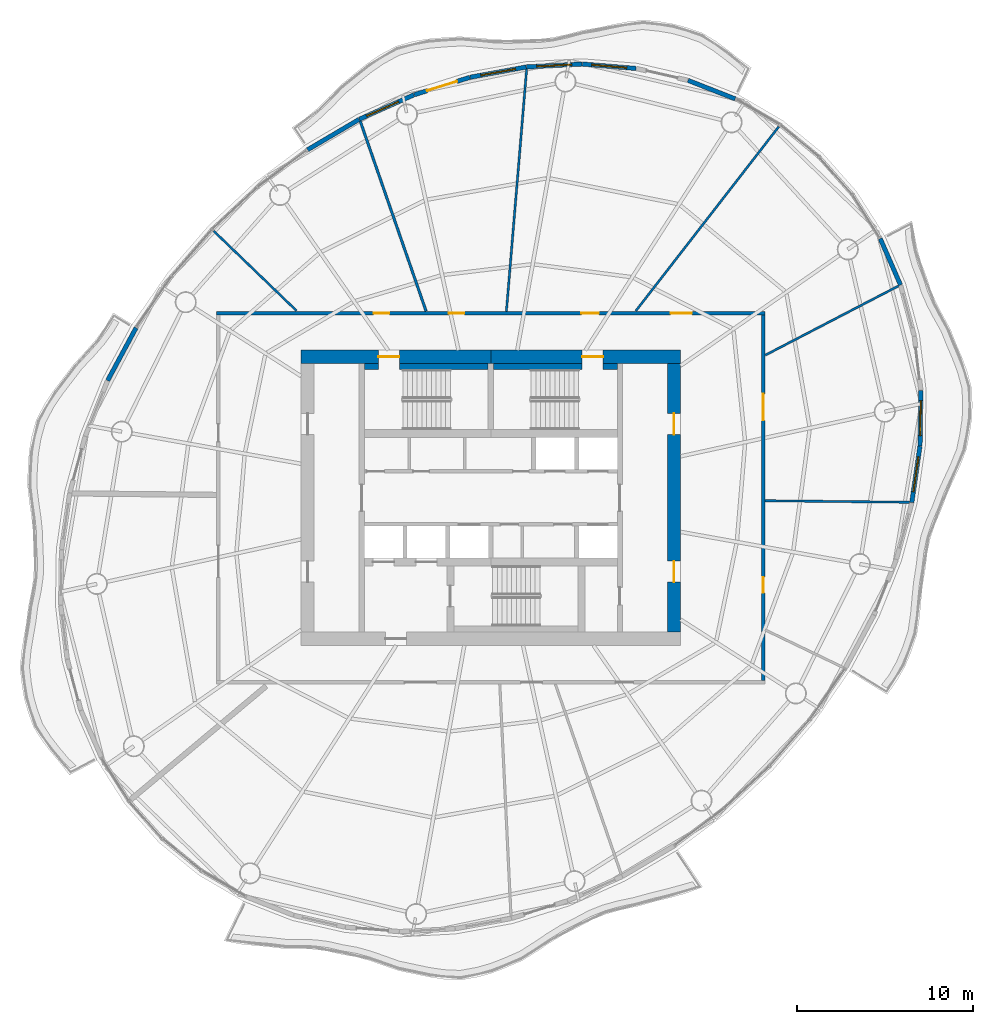
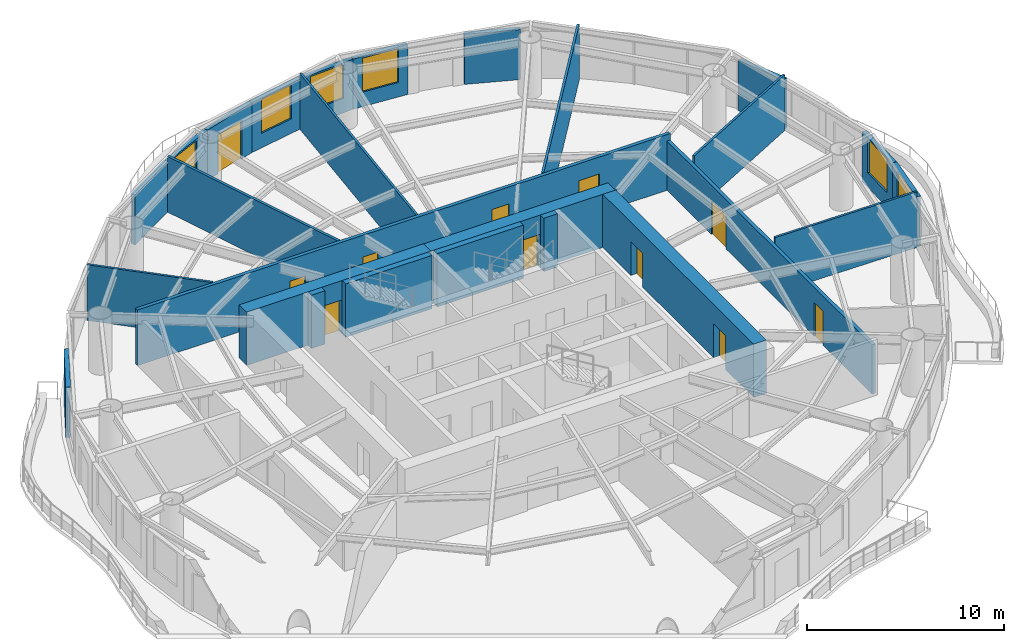
# One storey, part 10 of 14: 26 walls, 11 doors, 6 windows, 17 openings.
"""IFC4 building model written with IfcOpenShell, lengths in metres."""

from ifc_helpers import new_model, si_unit, direction, frame, frame_2d, origin, place, context, subcontext, project, spatial, rectangle, extrude, material, layer, layer_set, type_object, element, fill, save


model = new_model("IFC4")

# Units and contexts
model_context = context("Model", 3, precision=1e-05, world=origin(), true_north=direction((0.0, 1.0)))
body_context = subcontext(model_context, "Body", "Model", "MODEL_VIEW")
ifc_project = project(units=[si_unit("LENGTHUNIT", "METRE"), si_unit("AREAUNIT", "SQUARE_METRE"), si_unit("VOLUMEUNIT", "CUBIC_METRE"), si_unit("PLANEANGLEUNIT", "RADIAN"), si_unit("MASSUNIT", "GRAM", prefix="KILO")], contexts=[model_context])

# Site, building, storey
site_placement = place(None, origin())
site = spatial("IfcSite", under=ifc_project, at=site_placement, CompositionType="ELEMENT")
building_placement = place(site_placement, origin())
building = spatial("IfcBuilding", under=site, at=building_placement, Name="Vermilion Reach Broadcast Tower", CompositionType="ELEMENT")
storey_placement = place(building_placement, frame((0.0, 0.0, 217.300048828125)))
storey = spatial("IfcBuildingStorey", under=building, at=storey_placement, Name="L53", CompositionType="ELEMENT", Elevation=217.300048828125)

# Wall, opening, door
ifc_material_1 = material(Name="Concrete C60", Category="concrete")
ifc_layer_1 = layer(ifc_material_1, 0.75)
ifc_layer_set_1 = layer_set([ifc_layer_1], Name="Core outer wall 750 mm Concrete C60")
wall_type_1 = type_object("IfcWallType", Name="Core outer wall 750 mm Concrete C60", PredefinedType="SHEAR", material=ifc_layer_set_1)
wall_1_placement = place(storey_placement, frame((4.800048828125, 8.02490234375, 0.0), z_axis=(0.0, 0.0, 1.0), x_axis=(-1.0, 0.0, 0.0)))
wall_1 = element("IfcWall", 1, at=wall_1_placement, inside=storey, type_object=wall_type_1, Name="L53 core wall onE", PredefinedType="SHEAR", context=body_context, shape_type="SweptSolid", body=[
    extrude(rectangle(XDim=10.800048828125, YDim=0.75, at=frame_2d((5.39990234375, 0.0))), origin(), (0.0, 0.0, 1.0), 3.300048828125),
])
opening_1_placement = place(wall_1_placement, frame((4.39990234375, 0.0, 0.0)))
opening_1 = element("IfcOpeningElement", 2, at=opening_1_placement, cuts=wall_1, Name="Opening D01", PredefinedType="OPENING", context=body_context, shape_type="SweptSolid", body=[
    extrude(rectangle(XDim=1.199951171875, YDim=2.10009765625, at=frame_2d((0.60009765625, 1.050048828125))), frame((0.0, 0.385009765625, 0.0), z_axis=(0.0, -1.0, 0.0), x_axis=(1.0, 0.0, 0.0)), (0.0, 0.0, 1.0), 0.77001953125),
])
ifc_material_2 = material(Name="Painted steel fire door", Category="steel")
door_type_1 = type_object("IfcDoorType", Name="Stair door 1200 x 2100", OperationType="DOUBLE_DOOR_SINGLE_SWING", PredefinedType="NOTDEFINED", material=ifc_material_2)
door_1_placement = place(opening_1_placement, origin())
door_1 = element("IfcDoor", 3, at=door_1_placement, inside=storey, type_object=door_type_1, Name="L53 stair door ST2", OperationType="DOUBLE_DOOR_SINGLE_SWING", OverallHeight=2.10009765625, OverallWidth=1.199951171875, PredefinedType="NOTDEFINED", context=body_context, shape_type="SweptSolid", body=[
    extrude(rectangle(XDim=1.199951171875, YDim=2.10009765625, at=frame_2d((0.60009765625, 1.050048828125))), frame((0.0, 0.02490234375, 0.0), z_axis=(0.0, -1.0, 0.0), x_axis=(1.0, 0.0, 0.0)), (0.0, 0.0, 1.0), 0.050048828125),
])
fill(opening_1, door_1)

wall_2_placement = place(storey_placement, frame((-6.0, 8.02490234375, 0.0), z_axis=(0.0, 0.0, 1.0), x_axis=(-1.0, 0.0, 0.0)))
wall_2 = element("IfcWall", 4, at=wall_2_placement, inside=storey, type_object=wall_type_1, Name="L53 core wall onW", PredefinedType="SHEAR", context=body_context, shape_type="SweptSolid", body=[
    extrude(rectangle(XDim=10.800048828125, YDim=0.75, at=frame_2d((5.39990234375, 0.0))), origin(), (0.0, 0.0, 1.0), 3.300048828125),
])
opening_2_placement = place(wall_2_placement, frame((5.199951171875, 0.0, 0.0)))
opening_2 = element("IfcOpeningElement", 5, at=opening_2_placement, cuts=wall_2, Name="Opening D01", PredefinedType="OPENING", context=body_context, shape_type="SweptSolid", body=[
    extrude(rectangle(XDim=1.199951171875, YDim=2.10009765625, at=frame_2d((0.60009765625, 1.050048828125))), frame((0.0, 0.385009765625, 0.0), z_axis=(0.0, -1.0, 0.0), x_axis=(1.0, 0.0, 0.0)), (0.0, 0.0, 1.0), 0.77001953125),
])
door_2_placement = place(opening_2_placement, origin())
door_2 = element("IfcDoor", 6, at=door_2_placement, inside=storey, type_object=door_type_1, Name="L53 stair door ST1", OperationType="DOUBLE_DOOR_SINGLE_SWING", OverallHeight=2.10009765625, OverallWidth=1.199951171875, PredefinedType="NOTDEFINED", context=body_context, shape_type="SweptSolid", body=[
    extrude(rectangle(XDim=1.199951171875, YDim=2.10009765625, at=frame_2d((0.60009765625, 1.050048828125))), frame((0.0, 0.02490234375, 0.0), z_axis=(0.0, -1.0, 0.0), x_axis=(1.0, 0.0, 0.0)), (0.0, 0.0, 1.0), 0.050048828125),
])
fill(opening_2, door_2)

# Wall, openings, doors
wall_3_placement = place(storey_placement, frame((4.425048828125, -7.64990234375, 0.0), z_axis=(0.0, 0.0, 1.0), x_axis=(0.0, 1.0, 0.0)))
wall_3 = element("IfcWall", 7, at=wall_3_placement, inside=storey, type_object=wall_type_1, Name="L53 core wall oe", PredefinedType="SHEAR", context=body_context, shape_type="SweptSolid", body=[
    extrude(rectangle(XDim=15.2998046875, YDim=0.75, at=frame_2d((7.64990234375, 0.0))), origin(), (0.0, 0.0, 1.0), 3.300048828125),
])
opening_3_placement = place(wall_3_placement, frame((2.85009765625, 0.0, 0.0)))
opening_3 = element("IfcOpeningElement", 8, at=opening_3_placement, cuts=wall_3, Name="Opening D03", PredefinedType="OPENING", context=body_context, shape_type="SweptSolid", body=[
    extrude(rectangle(XDim=1.199951171875, YDim=2.10009765625, at=frame_2d((0.60009765625, 1.050048828125))), frame((0.0, 0.385009765625, 0.0), z_axis=(0.0, -1.0, 0.0), x_axis=(1.0, 0.0, 0.0)), (0.0, 0.0, 1.0), 0.77001953125),
])
opening_4_placement = place(wall_3_placement, frame((11.25, 0.0, 0.0)))
opening_4 = element("IfcOpeningElement", 9, at=opening_4_placement, cuts=wall_3, Name="Opening D03", PredefinedType="OPENING", context=body_context, shape_type="SweptSolid", body=[
    extrude(rectangle(XDim=1.199951171875, YDim=2.10009765625, at=frame_2d((0.60009765625, 1.050048828125))), frame((0.0, 0.385009765625, 0.0), z_axis=(0.0, -1.0, 0.0), x_axis=(1.0, 0.0, 0.0)), (0.0, 0.0, 1.0), 0.77001953125),
])
ifc_material_3 = material(Name="Painted steel fire door", Category="steel")
door_type_2 = type_object("IfcDoorType", Name="Core lobby door 1200 x 2100", OperationType="DOUBLE_DOOR_SINGLE_SWING", PredefinedType="NOTDEFINED", material=ifc_material_3)
door_3_placement = place(opening_3_placement, origin())
door_3 = element("IfcDoor", 10, at=door_3_placement, inside=storey, type_object=door_type_2, Name="L53 slot door E0", OperationType="DOUBLE_DOOR_SINGLE_SWING", OverallHeight=2.10009765625, OverallWidth=1.199951171875, PredefinedType="NOTDEFINED", context=body_context, shape_type="SweptSolid", body=[
    extrude(rectangle(XDim=1.199951171875, YDim=2.10009765625, at=frame_2d((0.60009765625, 1.050048828125))), frame((0.0, 0.02490234375, 0.0), z_axis=(0.0, -1.0, 0.0), x_axis=(1.0, 0.0, 0.0)), (0.0, 0.0, 1.0), 0.050048828125),
])
fill(opening_3, door_3)
door_4_placement = place(opening_4_placement, origin())
door_4 = element("IfcDoor", 11, at=door_4_placement, inside=storey, type_object=door_type_2, Name="L53 slot door E1", OperationType="DOUBLE_DOOR_SINGLE_SWING", OverallHeight=2.10009765625, OverallWidth=1.199951171875, PredefinedType="NOTDEFINED", context=body_context, shape_type="SweptSolid", body=[
    extrude(rectangle(XDim=1.199951171875, YDim=2.10009765625, at=frame_2d((0.60009765625, 1.050048828125))), frame((0.0, 0.02490234375, 0.0), z_axis=(0.0, -1.0, 0.0), x_axis=(1.0, 0.0, 0.0)), (0.0, 0.0, 1.0), 0.050048828125),
])
fill(opening_4, door_4)

# Walls
ifc_material_4 = material(Name="Concrete C60", Category="concrete")
ifc_layer_2 = layer(ifc_material_4, 0.35009765625)
ifc_layer_set_2 = layer_set([ifc_layer_2], Name="Core stair wall 350 mm Concrete C60")
wall_type_2 = type_object("IfcWallType", Name="Core stair wall 350 mm Concrete C60", PredefinedType="SHEAR", material=ifc_layer_set_2)
wall_4_placement = place(storey_placement, frame((-13.199951171875, 7.47509765625, 0.0), z_axis=(0.0, 0.0, 1.0), x_axis=(1.0, 0.0, 0.0)))
element("IfcWall", 12, at=wall_4_placement, inside=storey, type_object=wall_type_2, Name="L53 core wall l1a", PredefinedType="SHEAR", context=body_context, shape_type="SweptSolid", body=[
    extrude(rectangle(XDim=0.800048828125, YDim=0.35009765625, at=frame_2d((0.39990234375, 0.0))), origin(), (0.0, 0.0, 1.0), 3.300048828125),
])
for number, where, z_axis, x_axis, name in (
    (13, (-11.199951171875, 7.47509765625, 0.0), (0.0, 0.0, 1.0), (1.0, 0.0, 0.0), "L53 core wall l1b"),
    (14, (-5.85009765625, 7.47509765625, 0.0), (0.0, 0.0, 1.0), (1.0, 0.0, 0.0), "L53 core wall l2a"),
):
    element("IfcWall", number, at=place(storey_placement, frame(where, z_axis=z_axis, x_axis=x_axis)), inside=storey, type_object=wall_type_2, Name=name, PredefinedType="SHEAR", context=body_context, shape_type="SweptSolid", body=[
        extrude(rectangle(XDim=5.050048828125, YDim=0.35009765625, at=frame_2d((2.52490234375, 0.0))), origin(), (0.0, 0.0, 1.0), 3.300048828125),
    ])
wall_5_placement = place(storey_placement, frame((0.39990234375, 7.47509765625, 0.0), z_axis=(0.0, 0.0, 1.0), x_axis=(1.0, 0.0, 0.0)))
element("IfcWall", 15, at=wall_5_placement, inside=storey, type_object=wall_type_2, Name="L53 core wall l2b", PredefinedType="SHEAR", context=body_context, shape_type="SweptSolid", body=[
    extrude(rectangle(XDim=0.800048828125, YDim=0.35009765625, at=frame_2d((0.39990234375, 0.0))), origin(), (0.0, 0.0, 1.0), 3.300048828125),
])

# Wall, openings, doors
ifc_material_5 = material(Name="Fire-rated gypsum board partition")
ifc_layer_3 = layer(ifc_material_5, 0.199951171875)
ifc_layer_set_3 = layer_set([ifc_layer_3], Name="Corridor wall 200 fire-rated")
wall_type_3 = type_object("IfcWallType", Name="Corridor wall 200 fire-rated", PredefinedType="PARTITIONING", material=ifc_layer_set_3)
wall_6_placement = place(storey_placement, frame((-21.60009765625, 10.5, 0.0), z_axis=(0.0, 0.0, 1.0), x_axis=(1.0, 0.0, 0.0)))
wall_6 = element("IfcWall", 16, at=wall_6_placement, inside=storey, type_object=wall_type_3, Name="Corridor wall 53.N", PredefinedType="PARTITIONING", context=body_context, shape_type="SweptSolid", body=[
    extrude(rectangle(XDim=31.2001953125, YDim=0.199951171875, at=frame_2d((15.60009765625, 0.0))), origin(), (0.0, 0.0, 1.0), 3.449951171875),
])
opening_5_placement = place(wall_6_placement, frame((20.758544921875, 0.0, 0.0)))
opening_5 = element("IfcOpeningElement", 17, at=opening_5_placement, cuts=wall_6, Name="Opening D23", PredefinedType="OPENING", context=body_context, shape_type="SweptSolid", body=[
    extrude(rectangle(XDim=1.0, YDim=2.39990234375, at=frame_2d((0.5, 1.199951171875))), frame((0.0, 0.10986328125, 0.0), z_axis=(0.0, -1.0, 0.0), x_axis=(1.0, 0.0, 0.0)), (0.0, 0.0, 1.0), 0.219970703125),
])
opening_6_placement = place(wall_6_placement, frame((13.194580078125, 0.0, 0.0)))
opening_6 = element("IfcOpeningElement", 18, at=opening_6_placement, cuts=wall_6, Name="Opening D22", PredefinedType="OPENING", context=body_context, shape_type="SweptSolid", body=[
    extrude(rectangle(XDim=0.89990234375, YDim=2.10009765625, at=frame_2d((0.449951171875, 1.050048828125))), frame((0.0, 0.10986328125, 0.0), z_axis=(0.0, -1.0, 0.0), x_axis=(1.0, 0.0, 0.0)), (0.0, 0.0, 1.0), 0.219970703125),
])
opening_7_placement = place(wall_6_placement, frame((8.926513671875, 0.0, 0.0)))
opening_7 = element("IfcOpeningElement", 19, at=opening_7_placement, cuts=wall_6, Name="Opening D22", PredefinedType="OPENING", context=body_context, shape_type="SweptSolid", body=[
    extrude(rectangle(XDim=0.89990234375, YDim=2.10009765625, at=frame_2d((0.449951171875, 1.050048828125))), frame((0.0, 0.10986328125, 0.0), z_axis=(0.0, -1.0, 0.0), x_axis=(1.0, 0.0, 0.0)), (0.0, 0.0, 1.0), 0.219970703125),
])
opening_8_placement = place(wall_6_placement, frame((25.842529296875, 0.0, 0.0)))
opening_8 = element("IfcOpeningElement", 20, at=opening_8_placement, cuts=wall_6, Name="Opening D29", PredefinedType="OPENING", context=body_context, shape_type="SweptSolid", body=[
    extrude(rectangle(XDim=1.199951171875, YDim=2.39990234375, at=frame_2d((0.60009765625, 1.199951171875))), frame((0.0, 0.10986328125, 0.0), z_axis=(0.0, -1.0, 0.0), x_axis=(1.0, 0.0, 0.0)), (0.0, 0.0, 1.0), 0.219970703125),
])
ifc_material_6 = material(Name="Veneered timber door leaf", Category="wood")
door_type_3 = type_object("IfcDoorType", Name="Door single 1000x2400", OperationType="NOTDEFINED", PredefinedType="DOOR", material=ifc_material_6)
door_5_placement = place(opening_5_placement, origin())
door_5 = element("IfcDoor", 21, at=door_5_placement, inside=storey, type_object=door_type_3, Name="Door 53.01", OperationType="SINGLE_SWING_RIGHT", OverallHeight=2.39990234375, OverallWidth=1.0, PredefinedType="DOOR", context=body_context, shape_type="SweptSolid", body=[
    extrude(rectangle(XDim=1.0, YDim=2.39990234375, at=frame_2d((0.5, 1.199951171875))), frame((0.0, 0.02490234375, 0.0), z_axis=(0.0, -1.0, 0.0), x_axis=(1.0, 0.0, 0.0)), (0.0, 0.0, 1.0), 0.050048828125),
])
fill(opening_5, door_5)
ifc_material_7 = material(Name="Veneered timber door leaf", Category="wood")
door_type_4 = type_object("IfcDoorType", Name="Door single 1200x2400", OperationType="NOTDEFINED", PredefinedType="DOOR", material=ifc_material_7)
door_6_placement = place(opening_8_placement, origin())
door_6 = element("IfcDoor", 22, at=door_6_placement, inside=storey, type_object=door_type_4, Name="Door 53.11", OperationType="SINGLE_SWING_LEFT", OverallHeight=2.39990234375, OverallWidth=1.199951171875, PredefinedType="DOOR", context=body_context, shape_type="SweptSolid", body=[
    extrude(rectangle(XDim=1.199951171875, YDim=2.39990234375, at=frame_2d((0.60009765625, 1.199951171875))), frame((0.0, 0.02490234375, 0.0), z_axis=(0.0, -1.0, 0.0), x_axis=(1.0, 0.0, 0.0)), (0.0, 0.0, 1.0), 0.050048828125),
])
fill(opening_8, door_6)
ifc_material_8 = material(Name="Timber door leaf", Category="wood")
door_type_5 = type_object("IfcDoorType", Name="Door single 900x2100", OperationType="NOTDEFINED", PredefinedType="DOOR", material=ifc_material_8)
door_7_placement = place(opening_6_placement, origin())
door_7 = element("IfcDoor", 23, at=door_7_placement, inside=storey, type_object=door_type_5, Name="Door 53.02", OperationType="SINGLE_SWING_LEFT", OverallHeight=2.10009765625, OverallWidth=0.89990234375, PredefinedType="DOOR", context=body_context, shape_type="SweptSolid", body=[
    extrude(rectangle(XDim=0.89990234375, YDim=2.10009765625, at=frame_2d((0.449951171875, 1.050048828125))), frame((0.0, 0.02490234375, 0.0), z_axis=(0.0, -1.0, 0.0), x_axis=(1.0, 0.0, 0.0)), (0.0, 0.0, 1.0), 0.050048828125),
])
fill(opening_6, door_7)
door_8_placement = place(opening_7_placement, origin())
door_8 = element("IfcDoor", 24, at=door_8_placement, inside=storey, type_object=door_type_5, Name="Door 53.03", OperationType="SINGLE_SWING_RIGHT", OverallHeight=2.10009765625, OverallWidth=0.89990234375, PredefinedType="DOOR", context=body_context, shape_type="SweptSolid", body=[
    extrude(rectangle(XDim=0.89990234375, YDim=2.10009765625, at=frame_2d((0.449951171875, 1.050048828125))), frame((0.0, 0.02490234375, 0.0), z_axis=(0.0, -1.0, 0.0), x_axis=(1.0, 0.0, 0.0)), (0.0, 0.0, 1.0), 0.050048828125),
])
fill(opening_7, door_8)

# Walls
ifc_material_9 = material(Name="Fire-rated plasterboard on steel stud", Category="steel")
ifc_layer_4 = layer(ifc_material_9, 0.125)
ifc_layer_set_4 = layer_set([ifc_layer_4], Name="Partition 125 fire-rated stud")
wall_type_4 = type_object("IfcWallType", Name="Partition 125 fire-rated stud", PredefinedType="PARTITIONING", material=ifc_layer_set_4)
wall_7_placement = place(storey_placement, frame((10.390869140625, 21.12353515625, 0.0), z_axis=(0.0, 0.0, 1.0), x_axis=(-0.613043629226, -0.790049054594, 0.0)))
element("IfcWall", 25, at=wall_7_placement, inside=storey, type_object=wall_type_4, Name="Partition 53.01", PredefinedType="PARTITIONING", context=body_context, shape_type="SweptSolid", body=[
    extrude(rectangle(XDim=13.271484375, YDim=0.125, at=frame_2d((6.6357421875, 0.0))), origin(), (0.0, 0.0, 1.0), 3.449951171875),
])
wall_8_placement = place(storey_placement, frame((-3.95849609375, 24.398681640625, 0.0), z_axis=(0.0, 0.0, 1.0), x_axis=(-0.083375368872, -0.996518212511, 0.0)))
element("IfcWall", 26, at=wall_8_placement, inside=storey, type_object=wall_type_4, Name="Partition 53.02", PredefinedType="PARTITIONING", context=body_context, shape_type="SweptSolid", body=[
    extrude(rectangle(XDim=13.841552734375, YDim=0.125, at=frame_2d((6.9208984375, 0.0))), origin(), (0.0, 0.0, 1.0), 3.449951171875),
])
wall_9_placement = place(storey_placement, frame((-21.77099609375, 15.187255859375, 0.0), z_axis=(0.0, 0.0, 1.0), x_axis=(0.72030986436, -0.69365243408, 0.0)))
element("IfcWall", 27, at=wall_9_placement, inside=storey, type_object=wall_type_4, Name="Partition 53.04", PredefinedType="PARTITIONING", context=body_context, shape_type="SweptSolid", body=[
    extrude(rectangle(XDim=6.54833984375, YDim=0.125, at=frame_2d((3.274169921875, 0.0))), origin(), (0.0, 0.0, 1.0), 3.449951171875),
])
wall_10_placement = place(storey_placement, frame((17.84033203125, -0.252685546875, 0.0), z_axis=(0.0, 0.0, 1.0), x_axis=(-0.999943746201, 0.0106068107, 0.0)))
element("IfcWall", 28, at=wall_10_placement, inside=storey, type_object=wall_type_4, Name="Partition 53.10", PredefinedType="PARTITIONING", context=body_context, shape_type="SweptSolid", body=[
    extrude(rectangle(XDim=8.240234375, YDim=0.125, at=frame_2d((4.1201171875, 0.0))), origin(), (0.0, 0.0, 1.0), 3.449951171875),
])
wall_11_placement = place(storey_placement, frame((17.20654296875, 12.06103515625, 0.0), z_axis=(0.0, 0.0, 1.0), x_axis=(-0.887319286248, -0.461155596574, 0.0)))
element("IfcWall", 29, at=wall_11_placement, inside=storey, type_object=wall_type_4, Name="Partition 53.11", PredefinedType="PARTITIONING", context=body_context, shape_type="SweptSolid", body=[
    extrude(rectangle(XDim=8.5400390625, YDim=0.125, at=frame_2d((4.27001953125, 0.0))), origin(), (0.0, 0.0, 1.0), 3.449951171875),
])
ifc_material_10 = material(Name="Lightweight concrete block, plastered", Category="concrete")
ifc_layer_5 = layer(ifc_material_10, 0.14990234375)
ifc_layer_set_5 = layer_set([ifc_layer_5], Name="Partition 150 lightweight block")
wall_type_5 = type_object("IfcWallType", Name="Partition 150 lightweight block", PredefinedType="PARTITIONING", material=ifc_layer_set_5)
wall_12_placement = place(storey_placement, frame((-13.427978515625, 21.43408203125, 0.0), z_axis=(0.0, 0.0, 1.0), x_axis=(0.327447705094, -0.944869303358, 0.0)))
element("IfcWall", 30, at=wall_12_placement, inside=storey, type_object=wall_type_5, Name="Partition 53.03", PredefinedType="PARTITIONING", context=body_context, shape_type="SweptSolid", body=[
    extrude(rectangle(XDim=11.440185546875, YDim=0.14990234375, at=frame_2d((5.72021484375, 0.0))), origin(), (0.0, 0.0, 1.0), 3.449951171875),
])
ifc_material_11 = material(Name="Terracotta rainscreen cladding", Category="masonry")
ifc_layer_6 = layer(ifc_material_11, 0.25)
ifc_layer_set_6 = layer_set([ifc_layer_6], Name="Terracotta rainscreen wall 250")
wall_type_6 = type_object("IfcWallType", Name="Terracotta rainscreen wall 250", PredefinedType="SOLIDWALL", material=ifc_layer_set_6)
wall_13_placement = place(storey_placement, frame((7.90673828125, 22.7080078125, 0.0), z_axis=(0.0, 0.0, 1.0), x_axis=(-0.930924579426, 0.365211483146, 0.0)))
element("IfcWall", 31, at=wall_13_placement, inside=storey, type_object=wall_type_6, Name="External wall L53 02", PredefinedType="SOLIDWALL", context=body_context, shape_type="SweptSolid", body=[
    extrude(rectangle(XDim=2.87841796875, YDim=0.25, at=frame_2d((1.439208984375, 0.0))), origin(), (0.0, 0.0, 1.0), 3.099853515625),
])

# Wall, opening, window
wall_14_placement = place(storey_placement, frame((2.26513671875, 24.436767578125, 0.0), z_axis=(0.0, 0.0, 1.0), x_axis=(-0.996603192192, 0.082353368555, 0.0)))
wall_14 = element("IfcWall", 32, at=wall_14_placement, inside=storey, type_object=wall_type_6, Name="External wall L53 04", PredefinedType="SOLIDWALL", context=body_context, shape_type="SweptSolid", body=[
    extrude(rectangle(XDim=3.0654296875, YDim=0.25, at=frame_2d((1.53271484375, 0.0))), origin(), (0.0, 0.0, 1.0), 3.099853515625),
])
opening_9_placement = place(wall_14_placement, frame((0.53271484375, 0.0, 0.89990234375)))
opening_9 = element("IfcOpeningElement", 33, at=opening_9_placement, cuts=wall_14, Name="Opening W03", PredefinedType="OPENING", context=body_context, shape_type="SweptSolid", body=[
    extrude(rectangle(XDim=2.0, YDim=2.10009765625, at=frame_2d((1.0, 1.050048828125))), frame((0.0, 0.135009765625, 0.0), z_axis=(0.0, -1.0, 0.0), x_axis=(1.0, 0.0, 0.0)), (0.0, 0.0, 1.0), 0.27001953125),
])
ifc_material_12 = material(Name="Low-e laminated clear glass in aluminium frame", Category="aluminium")
window_type = type_object("IfcWindowType", Name="Punched window 2000 x 2100 sill 900", PartitioningType="SINGLE_PANEL", PredefinedType="WINDOW", material=ifc_material_12)
window_1_placement = place(opening_9_placement, origin())
window_1 = element("IfcWindow", 34, at=window_1_placement, inside=storey, type_object=window_type, Name="Window L53 04", OverallHeight=2.10009765625, OverallWidth=2.0, PartitioningType="SINGLE_PANEL", PredefinedType="WINDOW", context=body_context, shape_type="SweptSolid", body=[
    extrude(rectangle(XDim=2.0, YDim=2.10009765625, at=frame_2d((1.0, 1.050048828125))), frame((0.0, 0.030029296875, 0.0), z_axis=(0.0, -1.0, 0.0), x_axis=(1.0, 0.0, 0.0)), (0.0, 0.0, 1.0), 0.06005859375),
])
fill(opening_9, window_1)

wall_15_placement = place(storey_placement, frame((-0.814453125, 24.689453125, 0.0), z_axis=(0.0, 0.0, 1.0), x_axis=(-0.998611186538, -0.052684894627, 0.0)))
wall_15 = element("IfcWall", 35, at=wall_15_placement, inside=storey, type_object=wall_type_6, Name="External wall L53 05", PredefinedType="SOLIDWALL", context=body_context, shape_type="SweptSolid", body=[
    extrude(rectangle(XDim=3.151123046875, YDim=0.25, at=frame_2d((1.57568359375, 0.0))), origin(), (0.0, 0.0, 1.0), 3.099853515625),
])
opening_10_placement = place(wall_15_placement, frame((0.575439453125, 0.0, 0.89990234375)))
opening_10 = element("IfcOpeningElement", 36, at=opening_10_placement, cuts=wall_15, Name="Opening W03", PredefinedType="OPENING", context=body_context, shape_type="SweptSolid", body=[
    extrude(rectangle(XDim=2.0, YDim=2.10009765625, at=frame_2d((1.0, 1.050048828125))), frame((0.0, 0.135009765625, 0.0), z_axis=(0.0, -1.0, 0.0), x_axis=(1.0, 0.0, 0.0)), (0.0, 0.0, 1.0), 0.27001953125),
])
window_2_placement = place(opening_10_placement, origin())
window_2 = element("IfcWindow", 37, at=window_2_placement, inside=storey, type_object=window_type, Name="Window L53 05", OverallHeight=2.10009765625, OverallWidth=2.0, PartitioningType="SINGLE_PANEL", PredefinedType="WINDOW", context=body_context, shape_type="SweptSolid", body=[
    extrude(rectangle(XDim=2.0, YDim=2.10009765625, at=frame_2d((1.0, 1.050048828125))), frame((0.0, 0.030029296875, 0.0), z_axis=(0.0, -1.0, 0.0), x_axis=(1.0, 0.0, 0.0)), (0.0, 0.0, 1.0), 0.06005859375),
])
fill(opening_10, window_2)

wall_16_placement = place(storey_placement, frame((-3.985107421875, 24.5205078125, 0.0), z_axis=(0.0, 0.0, 1.0), x_axis=(-0.98363864292, -0.180152768931, 0.0)))
wall_16 = element("IfcWall", 38, at=wall_16_placement, inside=storey, type_object=wall_type_6, Name="External wall L53 06", PredefinedType="SOLIDWALL", context=body_context, shape_type="SweptSolid", body=[
    extrude(rectangle(XDim=3.237548828125, YDim=0.25, at=frame_2d((1.61865234375, 0.0))), origin(), (0.0, 0.0, 1.0), 3.099853515625),
])
opening_11_placement = place(wall_16_placement, frame((0.61865234375, 0.0, 0.89990234375)))
opening_11 = element("IfcOpeningElement", 39, at=opening_11_placement, cuts=wall_16, Name="Opening W03", PredefinedType="OPENING", context=body_context, shape_type="SweptSolid", body=[
    extrude(rectangle(XDim=2.0, YDim=2.10009765625, at=frame_2d((1.0, 1.050048828125))), frame((0.0, 0.135009765625, 0.0), z_axis=(0.0, -1.0, 0.0), x_axis=(1.0, 0.0, 0.0)), (0.0, 0.0, 1.0), 0.27001953125),
])
window_3_placement = place(opening_11_placement, origin())
window_3 = element("IfcWindow", 40, at=window_3_placement, inside=storey, type_object=window_type, Name="Window L53 06", OverallHeight=2.10009765625, OverallWidth=2.0, PartitioningType="SINGLE_PANEL", PredefinedType="WINDOW", context=body_context, shape_type="SweptSolid", body=[
    extrude(rectangle(XDim=2.0, YDim=2.10009765625, at=frame_2d((1.0, 1.050048828125))), frame((0.0, 0.030029296875, 0.0), z_axis=(0.0, -1.0, 0.0), x_axis=(1.0, 0.0, 0.0)), (0.0, 0.0, 1.0), 0.06005859375),
])
fill(opening_11, window_3)

# Wall, opening, door
wall_17_placement = place(storey_placement, frame((-7.192138671875, 23.931884765625, 0.0), z_axis=(0.0, 0.0, 1.0), x_axis=(-0.954355541855, -0.298672897551, 0.0)))
wall_17 = element("IfcWall", 41, at=wall_17_placement, inside=storey, type_object=wall_type_6, Name="External wall L53 07", PredefinedType="SOLIDWALL", context=body_context, shape_type="SweptSolid", body=[
    extrude(rectangle(XDim=3.318603515625, YDim=0.25, at=frame_2d((1.6591796875, 0.0))), origin(), (0.0, 0.0, 1.0), 3.099853515625),
])
opening_12_placement = place(wall_17_placement, frame((0.759033203125, 0.0, 0.0)))
opening_12 = element("IfcOpeningElement", 42, at=opening_12_placement, cuts=wall_17, Name="Opening D70", PredefinedType="OPENING", context=body_context, shape_type="SweptSolid", body=[
    extrude(rectangle(XDim=1.800048828125, YDim=2.39990234375, at=frame_2d((0.89990234375, 1.199951171875))), frame((0.0, 0.135009765625, 0.0), z_axis=(0.0, -1.0, 0.0), x_axis=(1.0, 0.0, 0.0)), (0.0, 0.0, 1.0), 0.27001953125),
])
ifc_material_13 = material(Name="Low-e laminated clear glass in aluminium frame", Category="aluminium")
door_type_6 = type_object("IfcDoorType", Name="Balcony sliding door 1800 x 2400", OperationType="DOUBLE_DOOR_SLIDING", PredefinedType="DOOR", material=ifc_material_13)
door_9_placement = place(opening_12_placement, origin())
door_9 = element("IfcDoor", 43, at=door_9_placement, inside=storey, type_object=door_type_6, Name="Balcony door L53 run 02", OperationType="DOUBLE_DOOR_SLIDING", OverallHeight=2.39990234375, OverallWidth=1.800048828125, PredefinedType="DOOR", context=body_context, shape_type="SweptSolid", body=[
    extrude(rectangle(XDim=1.800048828125, YDim=2.39990234375, at=frame_2d((0.89990234375, 1.199951171875))), frame((0.0, 0.02490234375, 0.0), z_axis=(0.0, -1.0, 0.0), x_axis=(1.0, 0.0, 0.0)), (0.0, 0.0, 1.0), 0.050048828125),
])
fill(opening_12, door_9)

# Wall, opening, window
wall_18_placement = place(storey_placement, frame((-10.38037109375, 22.9326171875, 0.0), z_axis=(0.0, 0.0, 1.0), x_axis=(-0.913013847156, -0.40792856593, 0.0)))
wall_18 = element("IfcWall", 44, at=wall_18_placement, inside=storey, type_object=wall_type_6, Name="External wall L53 08", PredefinedType="SOLIDWALL", context=body_context, shape_type="SweptSolid", body=[
    extrude(rectangle(XDim=3.389892578125, YDim=0.25, at=frame_2d((1.69482421875, 0.0))), origin(), (0.0, 0.0, 1.0), 3.099853515625),
])
opening_13_placement = place(wall_18_placement, frame((0.945068359375, 0.0, 0.89990234375)))
opening_13 = element("IfcOpeningElement", 45, at=opening_13_placement, cuts=wall_18, Name="Opening W03", PredefinedType="OPENING", context=body_context, shape_type="SweptSolid", body=[
    extrude(rectangle(XDim=2.0, YDim=2.10009765625, at=frame_2d((1.0, 1.050048828125))), frame((0.0, 0.135009765625, 0.0), z_axis=(0.0, -1.0, 0.0), x_axis=(1.0, 0.0, 0.0)), (0.0, 0.0, 1.0), 0.27001953125),
])
window_4_placement = place(opening_13_placement, origin())
window_4 = element("IfcWindow", 46, at=window_4_placement, inside=storey, type_object=window_type, Name="Window L53 08", OverallHeight=2.10009765625, OverallWidth=2.0, PartitioningType="SINGLE_PANEL", PredefinedType="WINDOW", context=body_context, shape_type="SweptSolid", body=[
    extrude(rectangle(XDim=2.0, YDim=2.10009765625, at=frame_2d((1.0, 1.050048828125))), frame((0.0, 0.030029296875, 0.0), z_axis=(0.0, -1.0, 0.0), x_axis=(1.0, 0.0, 0.0)), (0.0, 0.0, 1.0), 0.06005859375),
])
fill(opening_13, window_4)

# Walls
for number, where, z_axis, x_axis, name in (
    (47, (-13.494873046875, 21.53955078125, 0.0), (0.0, 0.0, 1.0), (-0.861311961965, -0.508076474731, 0.0), "External wall L53 09"),
    (48, (-26.189697265625, 9.67138671875, 0.0), (0.0, 0.0, 1.0), (-0.47528890286, -0.879829789685, 0.0), "External wall L53 14"),
):
    element("IfcWall", number, at=place(storey_placement, frame(where, z_axis=z_axis, x_axis=x_axis)), inside=storey, type_object=wall_type_6, Name=name, PredefinedType="SOLIDWALL", context=body_context, shape_type="SweptSolid", body=[
        extrude(rectangle(XDim=3.402587890625, YDim=0.25, at=frame_2d((1.701171875, 0.0))), origin(), (0.0, 0.0, 1.0), 3.099853515625),
    ])

# Wall, opening, window
wall_19_placement = place(storey_placement, frame((17.96435546875, -0.2666015625, 0.0), z_axis=(0.0, 0.0, 1.0), x_axis=(0.14297307374, 0.989726578498, 0.0)))
wall_19 = element("IfcWall", 49, at=wall_19_placement, inside=storey, type_object=wall_type_6, Name="External wall L53 41", PredefinedType="SOLIDWALL", context=body_context, shape_type="SweptSolid", body=[
    extrude(rectangle(XDim=3.237548828125, YDim=0.25, at=frame_2d((1.61865234375, 0.0))), origin(), (0.0, 0.0, 1.0), 3.099853515625),
])
opening_14_placement = place(wall_19_placement, frame((0.61865234375, 0.0, 0.89990234375)))
opening_14 = element("IfcOpeningElement", 50, at=opening_14_placement, cuts=wall_19, Name="Opening W03", PredefinedType="OPENING", context=body_context, shape_type="SweptSolid", body=[
    extrude(rectangle(XDim=2.0, YDim=2.10009765625, at=frame_2d((1.0, 1.050048828125))), frame((0.0, 0.135009765625, 0.0), z_axis=(0.0, -1.0, 0.0), x_axis=(1.0, 0.0, 0.0)), (0.0, 0.0, 1.0), 0.27001953125),
])
window_5_placement = place(opening_14_placement, origin())
window_5 = element("IfcWindow", 51, at=window_5_placement, inside=storey, type_object=window_type, Name="Window L53 41", OverallHeight=2.10009765625, OverallWidth=2.0, PartitioningType="SINGLE_PANEL", PredefinedType="WINDOW", context=body_context, shape_type="SweptSolid", body=[
    extrude(rectangle(XDim=2.0, YDim=2.10009765625, at=frame_2d((1.0, 1.050048828125))), frame((0.0, 0.030029296875, 0.0), z_axis=(0.0, -1.0, 0.0), x_axis=(1.0, 0.0, 0.0)), (0.0, 0.0, 1.0), 0.06005859375),
])
fill(opening_14, window_5)

wall_20_placement = place(storey_placement, frame((18.42919921875, 2.961669921875, 0.0), z_axis=(0.0, 0.0, 1.0), x_axis=(0.01503123462, 0.999887024611, 0.0)))
wall_20 = element("IfcWall", 52, at=wall_20_placement, inside=storey, type_object=wall_type_6, Name="External wall L53 42", PredefinedType="SOLIDWALL", context=body_context, shape_type="SweptSolid", body=[
    extrude(rectangle(XDim=3.15087890625, YDim=0.25, at=frame_2d((1.575439453125, 0.0))), origin(), (0.0, 0.0, 1.0), 3.099853515625),
])
opening_15_placement = place(wall_20_placement, frame((0.575439453125, 0.0, 0.89990234375)))
opening_15 = element("IfcOpeningElement", 53, at=opening_15_placement, cuts=wall_20, Name="Opening W03", PredefinedType="OPENING", context=body_context, shape_type="SweptSolid", body=[
    extrude(rectangle(XDim=2.0, YDim=2.10009765625, at=frame_2d((1.0, 1.050048828125))), frame((0.0, 0.135009765625, 0.0), z_axis=(0.0, -1.0, 0.0), x_axis=(1.0, 0.0, 0.0)), (0.0, 0.0, 1.0), 0.27001953125),
])
window_6_placement = place(opening_15_placement, origin())
window_6 = element("IfcWindow", 54, at=window_6_placement, inside=storey, type_object=window_type, Name="Window L53 42", OverallHeight=2.10009765625, OverallWidth=2.0, PartitioningType="SINGLE_PANEL", PredefinedType="WINDOW", context=body_context, shape_type="SweptSolid", body=[
    extrude(rectangle(XDim=2.0, YDim=2.10009765625, at=frame_2d((1.0, 1.050048828125))), frame((0.0, 0.030029296875, 0.0), z_axis=(0.0, -1.0, 0.0), x_axis=(1.0, 0.0, 0.0)), (0.0, 0.0, 1.0), 0.06005859375),
])
fill(opening_15, window_6)

# Wall
wall_21_placement = place(storey_placement, frame((17.3193359375, 12.114501953125, 0.0), z_axis=(0.0, 0.0, 1.0), x_axis=(-0.40003123877, 0.91650150464, 0.0)))
element("IfcWall", 55, at=wall_21_placement, inside=storey, type_object=wall_type_6, Name="External wall L53 45", PredefinedType="SOLIDWALL", context=body_context, shape_type="SweptSolid", body=[
    extrude(rectangle(XDim=2.87890625, YDim=0.25, at=frame_2d((1.439453125, 0.0))), origin(), (0.0, 0.0, 1.0), 3.099853515625),
])

# Wall, openings, doors
ifc_material_14 = material(Name="Fire-rated gypsum board partition")
ifc_layer_7 = layer(ifc_material_14, 0.199951171875)
ifc_layer_set_7 = layer_set([ifc_layer_7], Name="Under girder: Corridor wall 200 fire-rated")
wall_type_7 = type_object("IfcWallType", Name="Under girder: Corridor wall 200 fire-rated", PredefinedType="PARTITIONING", material=ifc_layer_set_7)
wall_22_placement = place(storey_placement, frame((9.5, 10.39990234375, 0.0), z_axis=(0.0, 0.0, 1.0), x_axis=(0.0, -1.0, 0.0)))
wall_22 = element("IfcWall", 56, at=wall_22_placement, inside=storey, type_object=wall_type_7, Name="Corridor wall 53.E", PredefinedType="PARTITIONING", context=body_context, shape_type="SweptSolid", body=[
    extrude(rectangle(XDim=20.7998046875, YDim=0.199951171875, at=frame_2d((10.39990234375, 0.0))), origin(), (0.0, 0.0, 1.0), 3.050048828125),
])
opening_16_placement = place(wall_22_placement, frame((14.910888671875, 0.0, 0.0)))
opening_16 = element("IfcOpeningElement", 57, at=opening_16_placement, cuts=wall_22, Name="Opening D22", PredefinedType="OPENING", context=body_context, shape_type="SweptSolid", body=[
    extrude(rectangle(XDim=0.89990234375, YDim=2.10009765625, at=frame_2d((0.449951171875, 1.050048828125))), frame((0.0, 0.10986328125, 0.0), z_axis=(0.0, -1.0, 0.0), x_axis=(1.0, 0.0, 0.0)), (0.0, 0.0, 1.0), 0.219970703125),
])
opening_17_placement = place(wall_22_placement, frame((4.4892578125, 0.0, 0.0)))
opening_17 = element("IfcOpeningElement", 58, at=opening_17_placement, cuts=wall_22, Name="Opening D24", PredefinedType="OPENING", context=body_context, shape_type="SweptSolid", body=[
    extrude(rectangle(XDim=1.5, YDim=2.10009765625, at=frame_2d((0.75, 1.050048828125))), frame((0.0, 0.10986328125, 0.0), z_axis=(0.0, -1.0, 0.0), x_axis=(1.0, 0.0, 0.0)), (0.0, 0.0, 1.0), 0.219970703125),
])
ifc_material_15 = material(Name="Timber door leaf", Category="wood")
door_type_7 = type_object("IfcDoorType", Name="Door pair 1500x2100", OperationType="NOTDEFINED", PredefinedType="DOOR", material=ifc_material_15)
door_10_placement = place(opening_17_placement, origin())
door_10 = element("IfcDoor", 59, at=door_10_placement, inside=storey, type_object=door_type_7, Name="Door 53.10", OperationType="DOUBLE_DOOR_SINGLE_SWING", OverallHeight=2.10009765625, OverallWidth=1.5, PredefinedType="DOOR", context=body_context, shape_type="SweptSolid", body=[
    extrude(rectangle(XDim=1.5, YDim=2.10009765625, at=frame_2d((0.75, 1.050048828125))), frame((0.0, 0.02490234375, 0.0), z_axis=(0.0, -1.0, 0.0), x_axis=(1.0, 0.0, 0.0)), (0.0, 0.0, 1.0), 0.050048828125),
])
fill(opening_17, door_10)
door_11_placement = place(opening_16_placement, origin())
door_11 = element("IfcDoor", 60, at=door_11_placement, inside=storey, type_object=door_type_5, Name="Door 53.09", OperationType="SINGLE_SWING_RIGHT", OverallHeight=2.10009765625, OverallWidth=0.89990234375, PredefinedType="DOOR", context=body_context, shape_type="SweptSolid", body=[
    extrude(rectangle(XDim=0.89990234375, YDim=2.10009765625, at=frame_2d((0.449951171875, 1.050048828125))), frame((0.0, 0.02490234375, 0.0), z_axis=(0.0, -1.0, 0.0), x_axis=(1.0, 0.0, 0.0)), (0.0, 0.0, 1.0), 0.050048828125),
])
fill(opening_16, door_11)

save(model, "model.ifc")
